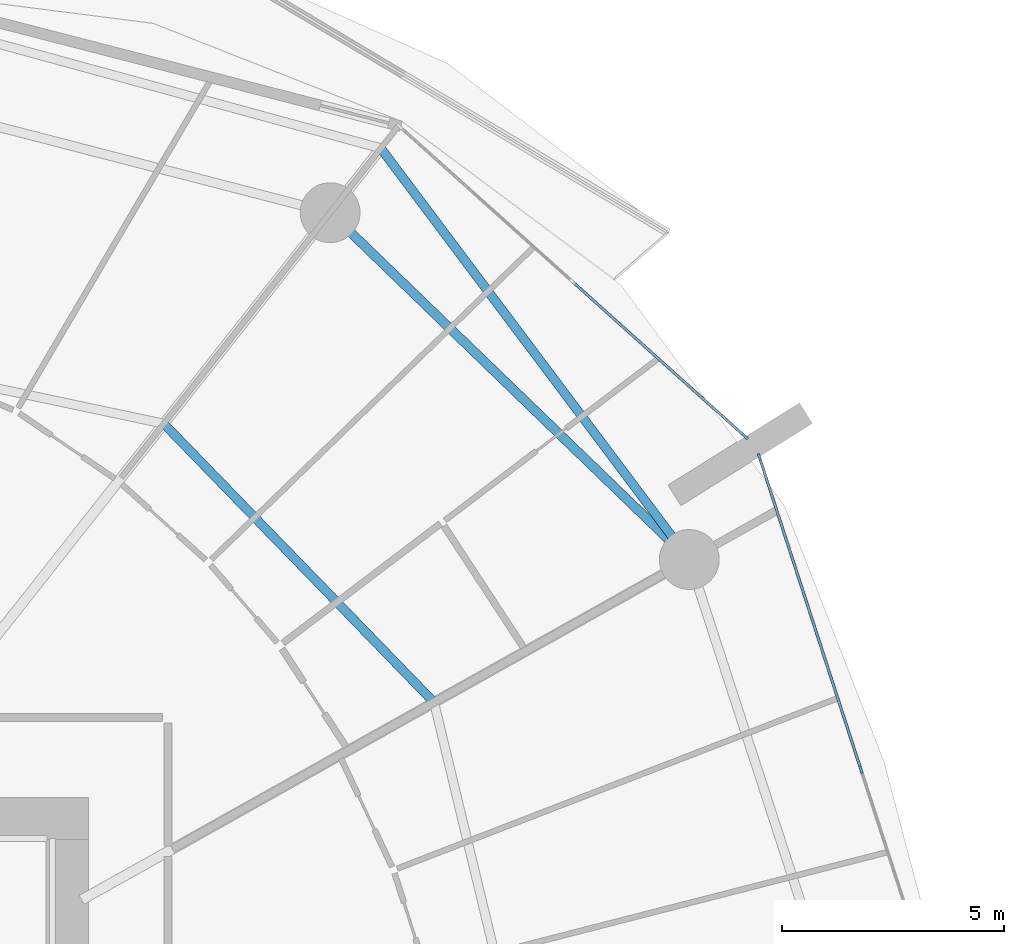
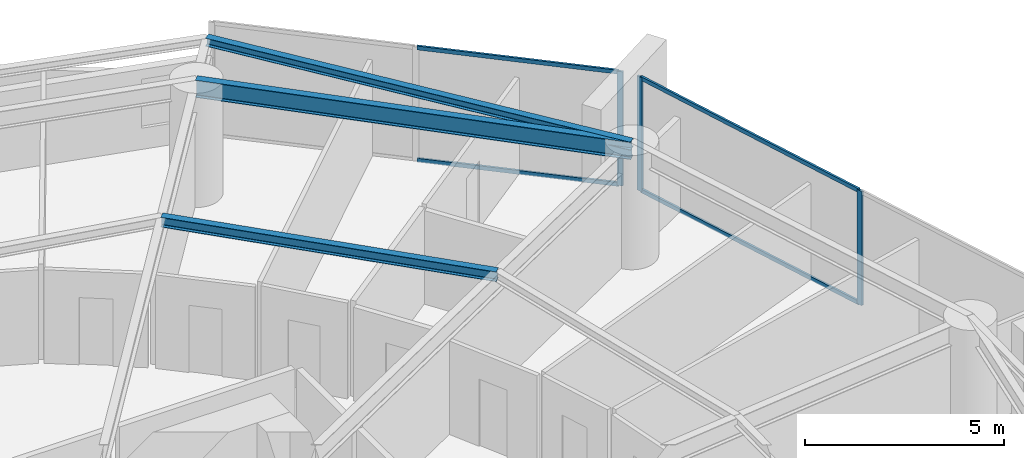
# One storey, part 15 of 31: 7 members, 3 beams, 2 elements without a shape of their own.
"""IFC4 building model written with IfcOpenShell, lengths in metres."""

from ifc_helpers import new_model, si_unit, direction, frame, origin, origin_2d, place, context, subcontext, project, spatial, rectangle, i_section, extrude, material, layer, layer_set, material_profile, profile_set, type_object, element, aggregate, save


model = new_model("IFC4")

# Units and contexts
model_context = context("Model", 3, precision=1e-05, world=origin(), true_north=direction((0.0, 1.0)))
body_context = subcontext(model_context, "Body", "Model", "MODEL_VIEW")
ifc_project = project(units=[si_unit("LENGTHUNIT", "METRE"), si_unit("AREAUNIT", "SQUARE_METRE"), si_unit("VOLUMEUNIT", "CUBIC_METRE"), si_unit("PLANEANGLEUNIT", "RADIAN"), si_unit("MASSUNIT", "GRAM", prefix="KILO")], contexts=[model_context])

# Site, building, storey
site_placement = place(None, origin())
site = spatial("IfcSite", under=ifc_project, at=site_placement, CompositionType="ELEMENT")
building_placement = place(site_placement, origin())
building = spatial("IfcBuilding", under=site, at=building_placement, Name="Kazma Halo Residences", CompositionType="ELEMENT")
storey_placement = place(building_placement, frame((0.0, 0.0, 30.14990234375)))
storey = spatial("IfcBuildingStorey", under=building, at=storey_placement, Name="L06", CompositionType="ELEMENT", Elevation=30.14990234375)

# Beams
ifc_material_1 = material(Name="Steel S355", Category="steel")
ifc_material_profile_1 = material_profile(ifc_material_1, i_section(OverallWidth=0.201904296875, OverallDepth=0.2470703125, WebThickness=0.00732421875, FlangeThickness=0.010986328125, FilletRadius=0.011962890625, at=origin_2d()), Name="W250x49.1")
ifc_profile_set_1 = profile_set([ifc_material_profile_1], Name="Steel S355")
beam_type_1 = type_object("IfcBeamType", Name="BM-BAL-CANT", PredefinedType="BEAM", material=ifc_profile_set_1)
beam_1_placement = place(storey_placement, frame((73.56494140625, 56.317138671875, 3.376708984375), z_axis=(-0.600026935007, 0.799979798037, 0.0), x_axis=(-0.799979798037, -0.600026935007, 0.0)))
element("IfcBeam", 1, at=beam_1_placement, inside=storey, type_object=beam_type_1, Name="L06 wave-balcony lead tie beam 01", PredefinedType="BEAM", context=body_context, shape_type="SweptSolid", body=[
    extrude(i_section(OverallWidth=0.201904296875, OverallDepth=0.2470703125, WebThickness=0.00732421875, FlangeThickness=0.010986328125, FilletRadius=0.011962890625, at=origin_2d()), origin(), (0.0, 0.0, 1.0), 11.601806640625),
])
ifc_material_profile_2 = material_profile(ifc_material_1, i_section(OverallWidth=0.202880859375, OverallDepth=0.302978515625, WebThickness=0.007568359375, FlangeThickness=0.01318359375, FilletRadius=0.013916015625, at=origin_2d()), Name="W310x60")
ifc_profile_set_2 = profile_set([ifc_material_profile_2], Name="Steel S355")
beam_type_2 = type_object("IfcBeamType", Name="BM-SEC-W310A", PredefinedType="JOIST", material=ifc_profile_set_2)
beam_2_placement = place(storey_placement, frame((67.8046875, 53.09130859375, 3.3486328125), z_axis=(-0.696130608567, 0.717915159205, 0.0), x_axis=(-0.717915159205, -0.696130608567, 0.0)))
element("IfcBeam", 2, at=beam_2_placement, inside=storey, type_object=beam_type_2, Name="L06 circumferential floor joist 01", PredefinedType="JOIST", context=body_context, shape_type="SweptSolid", body=[
    extrude(i_section(OverallWidth=0.202880859375, OverallDepth=0.302978515625, WebThickness=0.007568359375, FlangeThickness=0.01318359375, FilletRadius=0.013916015625, at=origin_2d()), origin(), (0.0, 0.0, 1.0), 8.763916015625),
])
ifc_material_profile_3 = material_profile(ifc_material_1, i_section(OverallWidth=0.208984375, OverallDepth=0.532958984375, WebThickness=0.01025390625, FlangeThickness=0.015625, FilletRadius=0.01611328125, at=origin_2d()), Name="W530x92")
ifc_profile_set_3 = profile_set([ifc_material_profile_3], Name="Steel S355")
beam_type_3 = type_object("IfcBeamType", Name="BM-SPN-W530", PredefinedType="BEAM", material=ifc_profile_set_3)
beam_3_placement = place(storey_placement, frame((73.56494140625, 56.317138671875, 3.233642578125), z_axis=(-0.719336506967, 0.694661780829, 0.0), x_axis=(-0.694661780829, -0.719336506967, 0.0)))
element("IfcBeam", 3, at=beam_3_placement, inside=storey, type_object=beam_type_3, Name="L06 perimeter ring beam 01", PredefinedType="BEAM", context=body_context, shape_type="SweptSolid", body=[
    extrude(i_section(OverallWidth=0.208984375, OverallDepth=0.532958984375, WebThickness=0.01025390625, FlangeThickness=0.015625, FilletRadius=0.01611328125, at=origin_2d()), origin(), (0.0, 0.0, 1.0), 11.269775390625),
])

# Curtain wall, member
ifc_material_2 = material(Name="Aluminium AW-6063 T6 and Triple-Silver Low-E Glass", Category="aluminium")
ifc_layer = layer(ifc_material_2, 0.159912109375)
ifc_layer_set = layer_set([ifc_layer], Name="Aluminium AW-6063 T6 and Triple-Silver Low-E Glass")
curtain_wall_type = type_object("IfcCurtainWallType", Name="CW-SYS-2", PredefinedType="NOTDEFINED", material=ifc_layer_set)
curtain_wall_1_placement = place(storey_placement, origin())
curtain_wall_1 = element("IfcCurtainWall", 4, at=curtain_wall_1_placement, inside=storey, type_object=curtain_wall_type, Name="L06 unitised curtain wall B01", PredefinedType="NOTDEFINED")
ifc_material_3 = material(Name="Aluminium AW-6063 T6", Category="aluminium")
ifc_material_profile_4 = material_profile(ifc_material_3, rectangle(XDim=0.06005859375, YDim=0.159912109375, at=origin_2d()), Name="CWM-60x160")
ifc_profile_set_4 = profile_set([ifc_material_profile_4], Name="Aluminium AW-6063 T6")
member_type_1 = type_object("IfcMemberType", Name="CW-SYS-2-MUL", PredefinedType="MULLION", material=ifc_profile_set_4)
member_1_placement = place(storey_placement, frame((74.82666015625, 59.091796875, 0.0), z_axis=(0.0, 0.0, 1.0), x_axis=(-0.667821453854, -0.744321506993, 0.0)))
member_1 = element("IfcMember", 5, at=member_1_placement, type_object=member_type_1, Name="CWS-2 mullion 1", PredefinedType="MULLION", context=body_context, shape_type="SweptSolid", body=[
    extrude(rectangle(XDim=0.06005859375, YDim=0.159912109375, at=origin_2d()), origin(), (0.0, 0.0, 1.0), 3.5),
])

# Curtain wall, members
curtain_wall_2_placement = place(storey_placement, origin())
curtain_wall_2 = element("IfcCurtainWall", 6, at=curtain_wall_2_placement, inside=storey, type_object=curtain_wall_type, Name="L06 unitised curtain wall B16", PredefinedType="NOTDEFINED")
member_2_placement = place(storey_placement, frame((77.44189453125, 51.56640625, 0.0), z_axis=(0.0, 0.0, 1.0), x_axis=(-0.95105652404, -0.309016970539, 0.0)))
member_2 = element("IfcMember", 7, at=member_2_placement, type_object=member_type_1, Name="CWS-2 mullion 2", PredefinedType="MULLION", context=body_context, shape_type="SweptSolid", body=[
    extrude(rectangle(XDim=0.06005859375, YDim=0.159912109375, at=origin_2d()), origin(), (0.0, 0.0, 1.0), 3.5),
])
member_3_placement = place(storey_placement, frame((75.145751953125, 58.63330078125, 0.0), z_axis=(0.0, 0.0, 1.0), x_axis=(-0.95105652404, -0.309016970539, 0.0)))
member_3 = element("IfcMember", 8, at=member_3_placement, type_object=member_type_1, Name="CWS-2 mullion 3", PredefinedType="MULLION", context=body_context, shape_type="SweptSolid", body=[
    extrude(rectangle(XDim=0.06005859375, YDim=0.159912109375, at=origin_2d()), origin(), (0.0, 0.0, 1.0), 3.5),
])

# Member
ifc_material_profile_5 = material_profile(ifc_material_3, rectangle(XDim=0.06005859375, YDim=0.1201171875, at=origin_2d()), Name="CWT-60x120")
ifc_profile_set_5 = profile_set([ifc_material_profile_5], Name="Aluminium AW-6063 T6")
member_type_2 = type_object("IfcMemberType", Name="CW-SYS-2-TRN", PredefinedType="USERDEFINED", material=ifc_profile_set_5)
member_4_placement = place(storey_placement, frame((74.80419921875, 59.11181640625, 0.030029296875), z_axis=(-0.744329408538, 0.66781264707, 0.0), x_axis=(-0.66781264707, -0.744329408538, 0.0)))
member_4 = element("IfcMember", 9, at=member_4_placement, type_object=member_type_2, Name="CWS-2 transom 1.1", ObjectType="TRANSOM", PredefinedType="USERDEFINED", context=body_context, shape_type="SweptSolid", body=[
    extrude(rectangle(XDim=0.06005859375, YDim=0.1201171875, at=origin_2d()), origin(), (0.0, 0.0, 1.0), 5.178466796875),
])

member_5_placement = place(storey_placement, frame((74.80419921875, 59.11181640625, 3.47021484375), z_axis=(-0.744329408538, 0.66781264707, 0.0), x_axis=(-0.66781264707, -0.744329408538, 0.0)))
member_5 = element("IfcMember", 10, at=member_5_placement, type_object=member_type_2, Name="CWS-2 transom 1.2", ObjectType="TRANSOM", PredefinedType="USERDEFINED", context=body_context, shape_type="SweptSolid", body=[
    extrude(rectangle(XDim=0.06005859375, YDim=0.1201171875, at=origin_2d()), origin(), (0.0, 0.0, 1.0), 5.178466796875),
])

aggregate(curtain_wall_1, [member_1, member_4, member_5])

member_6_placement = place(storey_placement, frame((77.4326171875, 51.5947265625, 0.030029296875), z_axis=(-0.309004433966, 0.951060597328, 0.0), x_axis=(-0.951060597328, -0.309004433966, 0.0)))
member_6 = element("IfcMember", 11, at=member_6_placement, type_object=member_type_2, Name="CWS-2 transom 2.1", ObjectType="TRANSOM", PredefinedType="USERDEFINED", context=body_context, shape_type="SweptSolid", body=[
    extrude(rectangle(XDim=0.06005859375, YDim=0.1201171875, at=origin_2d()), origin(), (0.0, 0.0, 1.0), 7.370849609375),
])

member_7_placement = place(storey_placement, frame((77.4326171875, 51.5947265625, 3.47021484375), z_axis=(-0.309004433966, 0.951060597328, 0.0), x_axis=(-0.951060597328, -0.309004433966, 0.0)))
member_7 = element("IfcMember", 12, at=member_7_placement, type_object=member_type_2, Name="CWS-2 transom 2.2", ObjectType="TRANSOM", PredefinedType="USERDEFINED", context=body_context, shape_type="SweptSolid", body=[
    extrude(rectangle(XDim=0.06005859375, YDim=0.1201171875, at=origin_2d()), origin(), (0.0, 0.0, 1.0), 7.370849609375),
])

aggregate(curtain_wall_2, [member_2, member_3, member_6, member_7])

save(model, "model.ifc")
